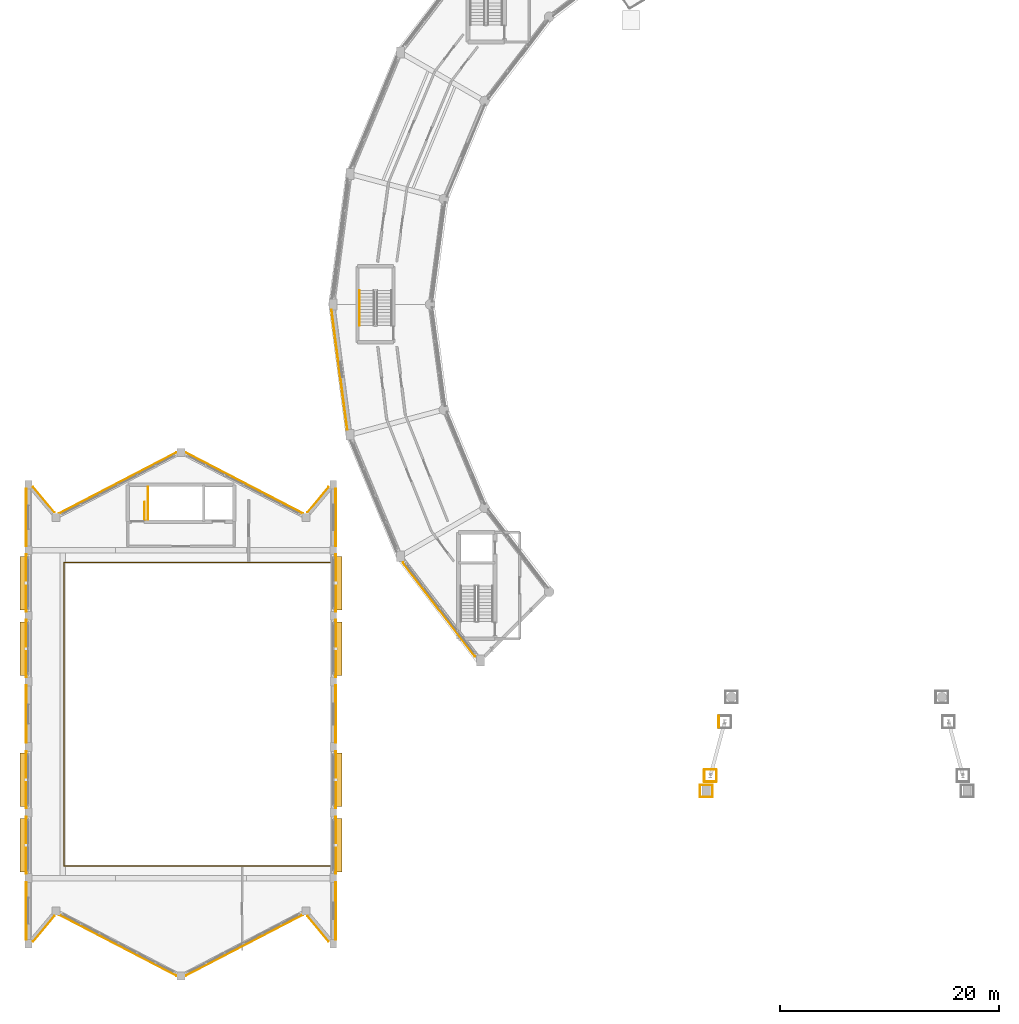
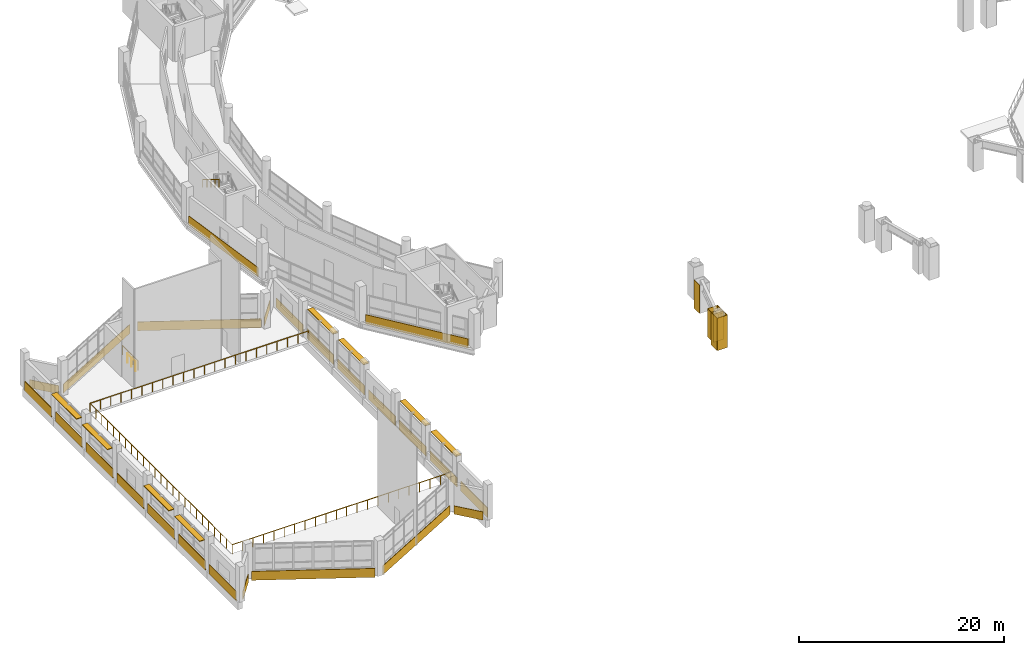
# One storey, part 120 of 128: 33 coverings, 8 shading devices, 4 railings.
"""IFC4 building model written with IfcOpenShell, lengths in metres."""

import ifcopenshell
import ifcopenshell.guid

model = None  # the IFC model being written
_history = None  # IfcOwnerHistory: only IFC2X3 demands one
_inside = {}  # id of a spatial element -> (the spatial element, [elements in it])
_under = {}  # id of a project, library or spatial element -> (it, [spatial elements below it])
_declared = {}  # id of a project -> (the project, [libraries it declares])
_typed = {}  # id of a type object -> (the type object, [elements of that type])
_made_of = {}  # id of a material, layer set ... -> (it, [elements and type objects made of it])


def new_model(schema):
    """Start an empty IFC model of exactly this schema.

    Asked for "IFC4X3", IfcOpenShell would pick the latest addendum, in which some entities
    have other attributes; the version numbers below select the first issue.
    IFC2X3 requires an IfcOwnerHistory on every rooted entity: one is made here for all.
    """
    global model, _history
    if schema == "IFC4X3":
        model = ifcopenshell.file(schema_version=(4, 3, 0, 0))
    else:
        model = ifcopenshell.file(schema=schema)
    _inside.clear()
    _under.clear()
    _declared.clear()
    _typed.clear()
    _made_of.clear()
    _history = None
    if model.schema == "IFC2X3":
        org = make("IfcOrganization", Name="unknown")
        user = make(
            "IfcPersonAndOrganization",
            ThePerson=make("IfcPerson", FamilyName="unknown"),
            TheOrganization=org,
        )
        app = make(
            "IfcApplication",
            ApplicationDeveloper=org,
            Version="unknown",
            ApplicationFullName="unknown",
            ApplicationIdentifier="unknown",
        )
        _history = make(
            "IfcOwnerHistory",
            OwningUser=user,
            OwningApplication=app,
            ChangeAction="ADDED",
            CreationDate=0,
        )
    return model


def make(cls, **values):
    """One entity of the class cls with the attributes given. An attribute that is None is left unset."""
    return model.create_entity(
        cls, **{name: value for name, value in values.items() if value is not None}
    )


def rooted(cls, **values):
    """An entity with a GlobalId (a new one), such as an element, a storey or a relation."""
    return make(cls, GlobalId=ifcopenshell.guid.new(), OwnerHistory=_history, **values)


def si_unit(unit_type, name, prefix=None):
    """IfcSIUnit, for example si_unit("LENGTHUNIT", "METRE", prefix="MILLI")."""
    return make("IfcSIUnit", UnitType=unit_type, Prefix=prefix, Name=name)


def assignment(units):
    """IfcUnitAssignment: the units of a project."""
    return None if units is None else make("IfcUnitAssignment", Units=units)


def point(xyz):
    """IfcCartesianPoint."""
    return None if xyz is None else make("IfcCartesianPoint", Coordinates=xyz)


def direction(xyz):
    """IfcDirection."""
    return None if xyz is None else make("IfcDirection", DirectionRatios=xyz)


def frame(location, z_axis=None, x_axis=None):
    """IfcAxis2Placement3D, a coordinate frame: its origin and axes. An axis left out is left unset."""
    return make(
        "IfcAxis2Placement3D",
        Location=point(location),
        Axis=direction(z_axis),
        RefDirection=direction(x_axis),
    )


def frame_2d(location, x_axis=None):
    """IfcAxis2Placement2D, a coordinate frame in the plane: its origin and x axis."""
    return make(
        "IfcAxis2Placement2D", Location=point(location), RefDirection=direction(x_axis)
    )


def origin():
    """The frame at (0, 0, 0) with its axes left unset."""
    return frame((0.0, 0.0, 0.0))


def origin_2d():
    """The frame at (0, 0) in the plane with its x axis left unset."""
    return frame_2d((0.0, 0.0))


def place(relative_to, where):
    """IfcLocalPlacement: puts the frame where relative to a parent placement (None: the world)."""
    return make(
        "IfcLocalPlacement", PlacementRelTo=relative_to, RelativePlacement=where
    )


def context(
    kind, dimensions, precision=None, world=None, true_north=None, identifier=None
):
    """IfcGeometricRepresentationContext, for example the 3D "Model" context."""
    return make(
        "IfcGeometricRepresentationContext",
        ContextIdentifier=identifier,
        ContextType=kind,
        CoordinateSpaceDimension=dimensions,
        Precision=precision,
        WorldCoordinateSystem=world,
        TrueNorth=true_north,
    )


def subcontext(parent, identifier, kind, view, scale=None):
    """IfcGeometricRepresentationSubContext, for example "Body" below "Model"."""
    return make(
        "IfcGeometricRepresentationSubContext",
        ContextIdentifier=identifier,
        ContextType=kind,
        ParentContext=parent,
        TargetScale=scale,
        TargetView=view,
    )


def project(units=None, contexts=None):
    """IfcProject with its units and contexts."""
    return rooted(
        "IfcProject",
        Name="project",
        RepresentationContexts=contexts,
        UnitsInContext=assignment(units),
    )


def spatial(cls, under=None, at=None, **own):
    """A site, building, storey or space (cls), placed at a placement, below another one or the project."""
    s = rooted(cls, ObjectPlacement=at, **own)
    if under is not None:
        _under.setdefault(under.id(), (under, []))[1].append(s)
    return s


def profile(cls, at=None, kind="AREA", **sizes):
    """A parametric profile (cls). Its sizes go by their IFC names, for example OverallWidth=200.0."""
    return make(cls, ProfileType=kind, Position=at, **sizes)


def rectangle(**sizes):
    """IfcRectangleProfileDef."""
    return profile("IfcRectangleProfileDef", **sizes)


def circle(**sizes):
    """IfcCircleProfileDef."""
    return profile("IfcCircleProfileDef", **sizes)


def extrude(swept, where, along, depth):
    """IfcExtrudedAreaSolid: the profile swept, set in the frame where, extruded along a direction by depth."""
    return make(
        "IfcExtrudedAreaSolid",
        SweptArea=swept,
        Position=where,
        ExtrudedDirection=direction(along),
        Depth=depth,
    )


def shape(context_of_items, identifier, shape_type, items):
    """IfcShapeRepresentation: the items that make up one representation, for example the "Body"."""
    return make(
        "IfcShapeRepresentation",
        ContextOfItems=context_of_items,
        RepresentationIdentifier=identifier,
        RepresentationType=shape_type,
        Items=items,
    )


def material(Name=None, Category=None):
    """IfcMaterial."""
    return make("IfcMaterial", Name=Name, Category=Category)


def layer(
    of_material, thickness, ventilated=None, Name=None, Category=None, Priority=None
):
    """IfcMaterialLayer: one layer of a wall or slab, of a material (None: an air gap)."""
    return make(
        "IfcMaterialLayer",
        Material=of_material,
        LayerThickness=thickness,
        IsVentilated=ventilated,
        Name=Name,
        Category=Category,
        Priority=Priority,
    )


def layer_set(layers, Name=None):
    """IfcMaterialLayerSet."""
    return make("IfcMaterialLayerSet", MaterialLayers=layers, LayerSetName=Name)


def made_of(thing, what):
    """Note that an element or type object is made of a material, layer set ...; save() writes the relation."""
    if what is not None:
        _made_of.setdefault(what.id(), (what, []))[1].append(thing)
    return thing


def type_object(cls, material=None, **own):
    """A type object (cls), such as IfcWallType, which elements share."""
    return made_of(rooted(cls, **own), material)


def element(
    cls,
    number,
    at=None,
    inside=None,
    cuts=None,
    type_object=None,
    material=None,
    context=None,
    identifier="Body",
    shape_type=None,
    held_by="IfcProductDefinitionShape",
    body=None,
    shapes=None,
    **own,
):
    """One element of the class cls, such as IfcWall. Its Tag is "e" and its number.

    at: its placement. inside: the storey or other place that contains it. cuts: it is an
    opening in that element (IfcRelVoidsElement). A single representation is given by context,
    identifier, shape_type and body (its items); several are given by shapes. held_by: the class
    of the entity that holds the representations. save() writes the other relations.
    """
    e = rooted(cls, Tag="e%d" % number, ObjectPlacement=at, **own)
    if body is not None:
        shapes = [shape(context, identifier, shape_type, body)]
    if shapes is not None:
        e.Representation = make(held_by, Representations=shapes)
    if inside is not None:
        _inside.setdefault(inside.id(), (inside, []))[1].append(e)
    if cuts is not None:
        rooted(
            "IfcRelVoidsElement", RelatingBuildingElement=cuts, RelatedOpeningElement=e
        )
    if type_object is not None:
        _typed.setdefault(type_object.id(), (type_object, []))[1].append(e)
    return made_of(e, material)


def aggregate(whole, parts):
    """IfcRelAggregates: a whole, such as a stair, and the parts it consists of."""
    return rooted("IfcRelAggregates", RelatingObject=whole, RelatedObjects=parts)


def save(model, path):
    """Write the relations noted so far, then the file.

    IfcRelAggregates (storeys below a building ...), IfcRelContainedInSpatialStructure (elements
    in a storey), IfcRelDefinesByType, IfcRelAssociatesMaterial and IfcRelDeclares: one each for
    every whole, place, type object, material and project.
    """
    for whole, parts in _under.values():
        aggregate(whole, parts)
    for where, things in _inside.values():
        rooted(
            "IfcRelContainedInSpatialStructure",
            RelatedElements=things,
            RelatingStructure=where,
        )
    for kind, things in _typed.values():
        rooted("IfcRelDefinesByType", RelatedObjects=things, RelatingType=kind)
    for what, things in _made_of.values():
        rooted("IfcRelAssociatesMaterial", RelatedObjects=things, RelatingMaterial=what)
    for by, libraries in _declared.values():
        rooted("IfcRelDeclares", RelatingContext=by, RelatedDefinitions=libraries)
    model.write(path)


model = new_model("IFC4")

# Units and contexts
model_context = context("Model", 3, precision=1e-05, world=origin(), true_north=direction((0.0, 1.0)))
body_context = subcontext(model_context, "Body", "Model", "MODEL_VIEW")
ifc_project = project(units=[si_unit("LENGTHUNIT", "METRE"), si_unit("AREAUNIT", "SQUARE_METRE"), si_unit("VOLUMEUNIT", "CUBIC_METRE"), si_unit("PLANEANGLEUNIT", "RADIAN"), si_unit("MASSUNIT", "GRAM", prefix="KILO")], contexts=[model_context])

# Site, building, storey
site_placement = place(None, origin())
site = spatial("IfcSite", under=ifc_project, at=site_placement, CompositionType="ELEMENT")
building_placement = place(site_placement, origin())
building = spatial("IfcBuilding", under=site, at=building_placement, Name="Vespera Passage Community Centre", CompositionType="ELEMENT")
storey_placement = place(building_placement, frame((0.0, 0.0, 4.5)))
storey = spatial("IfcBuildingStorey", under=building, at=storey_placement, Name="L01", CompositionType="ELEMENT", Elevation=4.5)

# Coverings
ifc_material_1 = material(Name="Precast concrete f'c 40 MPa", Category="concrete")
ifc_layer = layer(ifc_material_1, 0.06005859375)
ifc_layer_set = layer_set([ifc_layer], Name="Precast concrete f'c 40 MPa")
covering_type = type_object("IfcCoveringType", Name="COV-CLAD-60E", PredefinedType="CLADDING", material=ifc_layer_set)
covering_1_placement = place(storey_placement, frame((65.50830078125, 20.410888671875, 0.0), z_axis=(0.0, 0.0, 1.0), x_axis=(1.0, 0.0, 0.0)))
element("IfcCovering", 1, at=covering_1_placement, inside=storey, type_object=covering_type, Name="Pylon 17.0 O L01 White Architectural Casing 1", PredefinedType="CLADDING", context=body_context, shape_type="SweptSolid", body=[
    extrude(rectangle(XDim=1.1201171875, YDim=0.06005859375, at=frame_2d((0.56005859375, 0.0))), origin(), (0.0, 0.0, 1.0), 3.860107421875),
])
covering_2_placement = place(storey_placement, frame((66.62841796875, 20.410888671875, 0.0), z_axis=(0.0, 0.0, 1.0), x_axis=(0.0, 1.0, 0.0)))
element("IfcCovering", 2, at=covering_2_placement, inside=storey, type_object=covering_type, Name="Pylon 17.0 O L01 White Architectural Casing 2", PredefinedType="CLADDING", context=body_context, shape_type="SweptSolid", body=[
    extrude(rectangle(XDim=1.119873046875, YDim=0.06005859375, at=frame_2d((0.56005859375, 0.0))), origin(), (0.0, 0.0, 1.0), 3.860107421875),
])
covering_3_placement = place(storey_placement, frame((66.62841796875, 21.53076171875, 0.0), z_axis=(0.0, 0.0, 1.0), x_axis=(-1.0, 0.0, 0.0)))
element("IfcCovering", 3, at=covering_3_placement, inside=storey, type_object=covering_type, Name="Pylon 17.0 O L01 White Architectural Casing 3", PredefinedType="CLADDING", context=body_context, shape_type="SweptSolid", body=[
    extrude(rectangle(XDim=1.1201171875, YDim=0.06005859375, at=frame_2d((0.56005859375, 0.0))), origin(), (0.0, 0.0, 1.0), 3.860107421875),
])
covering_4_placement = place(storey_placement, frame((65.50830078125, 21.53076171875, 0.0), z_axis=(0.0, 0.0, 1.0), x_axis=(0.0, -1.0, 0.0)))
element("IfcCovering", 4, at=covering_4_placement, inside=storey, type_object=covering_type, Name="Pylon 17.0 O L01 White Architectural Casing 4", PredefinedType="CLADDING", context=body_context, shape_type="SweptSolid", body=[
    extrude(rectangle(XDim=1.119873046875, YDim=0.06005859375, at=frame_2d((0.56005859375, 0.0))), origin(), (0.0, 0.0, 1.0), 3.860107421875),
])
covering_5_placement = place(storey_placement, frame((65.8837890625, 21.811279296875, 0.0), z_axis=(0.0, 0.0, 1.0), x_axis=(1.0, 0.0, 0.0)))
element("IfcCovering", 5, at=covering_5_placement, inside=storey, type_object=covering_type, Name="Pylon 17.0 TO L01 White Architectural Casing 1", PredefinedType="CLADDING", context=body_context, shape_type="SweptSolid", body=[
    extrude(rectangle(XDim=1.119873046875, YDim=0.06005859375, at=frame_2d((0.56005859375, 0.0))), origin(), (0.0, 0.0, 1.0), 3.35009765625),
])
covering_6_placement = place(storey_placement, frame((67.003662109375, 21.811279296875, 0.0), z_axis=(0.0, 0.0, 1.0), x_axis=(0.0, 1.0, 0.0)))
element("IfcCovering", 6, at=covering_6_placement, inside=storey, type_object=covering_type, Name="Pylon 17.0 TO L01 White Architectural Casing 2", PredefinedType="CLADDING", context=body_context, shape_type="SweptSolid", body=[
    extrude(rectangle(XDim=1.1201171875, YDim=0.06005859375, at=frame_2d((0.56005859375, 0.0))), origin(), (0.0, 0.0, 1.0), 3.35009765625),
])
covering_7_placement = place(storey_placement, frame((67.003662109375, 22.931396484375, 0.0), z_axis=(0.0, 0.0, 1.0), x_axis=(-1.0, 0.0, 0.0)))
element("IfcCovering", 7, at=covering_7_placement, inside=storey, type_object=covering_type, Name="Pylon 17.0 TO L01 White Architectural Casing 3", PredefinedType="CLADDING", context=body_context, shape_type="SweptSolid", body=[
    extrude(rectangle(XDim=1.119873046875, YDim=0.06005859375, at=frame_2d((0.56005859375, 0.0))), origin(), (0.0, 0.0, 1.0), 3.35009765625),
])
for number, where, z_axis, x_axis, name in (
    (8, (65.8837890625, 22.931396484375, 0.0), (0.0, 0.0, 1.0), (0.0, -1.0, 0.0), "Pylon 17.0 TO L01 White Architectural Casing 4"),
    (9, (67.20361328125, 27.857666015625, 0.0), (0.0, 0.0, 1.0), (0.0, -1.0, 0.0), "Pylon 17.0 TI L01 White Architectural Casing 4"),
):
    element("IfcCovering", number, at=place(storey_placement, frame(where, z_axis=z_axis, x_axis=x_axis)), inside=storey, type_object=covering_type, Name=name, PredefinedType="CLADDING", context=body_context, shape_type="SweptSolid", body=[
        extrude(rectangle(XDim=1.1201171875, YDim=0.06005859375, at=frame_2d((0.56005859375, 0.0))), origin(), (0.0, 0.0, 1.0), 3.35009765625),
    ])
covering_8_placement = place(storey_placement, frame((33.2197265625, 54.018798828125, -0.280029296875), z_axis=(0.0, 0.0, 1.0), x_axis=(-0.130513242145, 0.991446566197, 0.0)))
element("IfcCovering", 10, at=covering_8_placement, inside=storey, type_object=covering_type, Name="V4 L01 Outer White Sill Band O12", PredefinedType="CLADDING", context=body_context, shape_type="SweptSolid", body=[
    extrude(rectangle(XDim=11.075927734375, YDim=0.06005859375, at=frame_2d((5.5380859375, 0.0))), origin(), (0.0, 0.0, 1.0), 1.10009765625),
])
covering_9_placement = place(storey_placement, frame((44.90771484375, 33.267822265625, -0.280029296875), z_axis=(0.0, 0.0, 1.0), x_axis=(-0.608767750285, 0.793348489765, 0.0)))
element("IfcCovering", 11, at=covering_9_placement, inside=storey, type_object=covering_type, Name="V4 L01 Outer White Spandrel Band O14", PredefinedType="CLADDING", context=body_context, shape_type="SweptSolid", body=[
    extrude(rectangle(XDim=10.8525390625, YDim=0.06005859375, at=frame_2d((5.42626953125, 0.0))), origin(), (0.0, 0.0, 1.0), 1.10009765625),
])
for number, where, z_axis, x_axis, name in (
    (12, (3.840087890625, 7.375, -0.280029296875), (0.0, 0.0, 1.0), (0.0, 1.0, 0.0), "V1 L01 W1 White Sill Band"),
    (13, (32.159912109375, 12.625, -0.280029296875), (0.0, 0.0, 1.0), (0.0, -1.0, 0.0), "V1 L01 E1 White Sill Band"),
    (14, (3.840087890625, 13.375, -0.280029296875), (0.0, 0.0, 1.0), (0.0, 1.0, 0.0), "V1 L01 W2 White Spandrel Band"),
    (15, (32.159912109375, 18.625, -0.280029296875), (0.0, 0.0, 1.0), (0.0, -1.0, 0.0), "V1 L01 E2 White Spandrel Band"),
    (16, (3.840087890625, 19.375, -0.280029296875), (0.0, 0.0, 1.0), (0.0, 1.0, 0.0), "V1 L01 W3 White Spandrel Band"),
    (17, (32.159912109375, 24.625, -0.280029296875), (0.0, 0.0, 1.0), (0.0, -1.0, 0.0), "V1 L01 E3 White Spandrel Band"),
    (18, (3.840087890625, 25.375, -0.280029296875), (0.0, 0.0, 1.0), (0.0, 1.0, 0.0), "V1 L01 W4 White Sill Band"),
    (19, (32.159912109375, 30.625, -0.280029296875), (0.0, 0.0, 1.0), (0.0, -1.0, 0.0), "V1 L01 E4 White Sill Band"),
    (20, (3.840087890625, 31.375, -0.280029296875), (0.0, 0.0, 1.0), (0.0, 1.0, 0.0), "V1 L01 W5 White Spandrel Band"),
    (21, (32.159912109375, 36.625, -0.280029296875), (0.0, 0.0, 1.0), (0.0, -1.0, 0.0), "V1 L01 E5 White Spandrel Band"),
    (22, (3.840087890625, 37.375, -0.280029296875), (0.0, 0.0, 1.0), (0.0, 1.0, 0.0), "V1 L01 W6 White Spandrel Band"),
    (23, (32.159912109375, 42.625, -0.280029296875), (0.0, 0.0, 1.0), (0.0, -1.0, 0.0), "V1 L01 E6 White Spandrel Band"),
    (24, (3.840087890625, 43.375, -0.280029296875), (0.0, 0.0, 1.0), (0.0, 1.0, 0.0), "V1 L01 W7 White Sill Band"),
    (25, (32.159912109375, 48.625, -0.280029296875), (0.0, 0.0, 1.0), (0.0, -1.0, 0.0), "V1 L01 E7 White Sill Band"),
):
    element("IfcCovering", number, at=place(storey_placement, frame(where, z_axis=z_axis, x_axis=x_axis)), inside=storey, type_object=covering_type, Name=name, PredefinedType="CLADDING", context=body_context, shape_type="SweptSolid", body=[
        extrude(rectangle(XDim=5.25, YDim=0.06005859375, at=frame_2d((2.625, 0.0))), origin(), (0.0, 0.0, 1.0), 1.130126953125),
    ])
covering_10_placement = place(storey_placement, frame((4.479248046875, 48.784912109375, -0.260009765625), z_axis=(0.0, 0.0, 1.0), x_axis=(0.643756356561, -0.765230523037, 0.0)))
element("IfcCovering", 26, at=covering_10_placement, inside=storey, type_object=covering_type, Name="V1 L01 N1 Apse Sill Band", PredefinedType="CLADDING", context=body_context, shape_type="SweptSolid", body=[
    extrude(rectangle(XDim=3.0126953125, YDim=0.06005859375, at=frame_2d((1.50634765625, 0.0))), origin(), (0.0, 0.0, 1.0), 0.97998046875),
])
for number, where, z_axis, x_axis, name in (
    (27, (6.837890625, 46.353515625, -0.260009765625), (0.0, 0.0, 1.0), (0.887012674584, 0.46174507591, 0.0), "V1 L01 N2 Apse White Band"),
    (28, (18.4404296875, 51.934814453125, -0.260009765625), (0.0, 0.0, 1.0), (0.887012674584, -0.46174507591, 0.0), "V1 L01 N3 Apse White Band"),
):
    element("IfcCovering", number, at=place(storey_placement, frame(where, z_axis=z_axis, x_axis=x_axis)), inside=storey, type_object=covering_type, Name=name, PredefinedType="CLADDING", context=body_context, shape_type="SweptSolid", body=[
        extrude(rectangle(XDim=12.08740234375, YDim=0.06005859375, at=frame_2d((6.043701171875, 0.0))), origin(), (0.0, 0.0, 1.0), 1.06005859375),
    ])
for number, where, z_axis, x_axis, name in (
    (29, (29.581298828125, 46.4794921875, -0.260009765625), (0.0, 0.0, 1.0), (0.643756356561, 0.765230523037, 0.0), "V1 L01 N4 Apse Sill Band"),
    (30, (31.520751953125, 7.215087890625, -0.260009765625), (0.0, 0.0, 1.0), (-0.643756356561, 0.765230523037, 0.0), "V1 L01 S1 Apse Sill Band"),
):
    element("IfcCovering", number, at=place(storey_placement, frame(where, z_axis=z_axis, x_axis=x_axis)), inside=storey, type_object=covering_type, Name=name, PredefinedType="CLADDING", context=body_context, shape_type="SweptSolid", body=[
        extrude(rectangle(XDim=3.0126953125, YDim=0.06005859375, at=frame_2d((1.50634765625, 0.0))), origin(), (0.0, 0.0, 1.0), 0.97998046875),
    ])
for number, where, z_axis, x_axis, name in (
    (31, (29.162109375, 9.646484375, -0.260009765625), (0.0, 0.0, 1.0), (-0.887012674584, -0.46174507591, 0.0), "V1 L01 S2 Apse White Band"),
    (32, (17.5595703125, 4.065185546875, -0.260009765625), (0.0, 0.0, 1.0), (-0.887012674584, 0.46174507591, 0.0), "V1 L01 S3 Apse White Band"),
):
    element("IfcCovering", number, at=place(storey_placement, frame(where, z_axis=z_axis, x_axis=x_axis)), inside=storey, type_object=covering_type, Name=name, PredefinedType="CLADDING", context=body_context, shape_type="SweptSolid", body=[
        extrude(rectangle(XDim=12.08740234375, YDim=0.06005859375, at=frame_2d((6.043701171875, 0.0))), origin(), (0.0, 0.0, 1.0), 1.06005859375),
    ])
covering_11_placement = place(storey_placement, frame((6.418701171875, 9.5205078125, -0.260009765625), z_axis=(0.0, 0.0, 1.0), x_axis=(-0.643756356561, -0.765230523037, 0.0)))
element("IfcCovering", 33, at=covering_11_placement, inside=storey, type_object=covering_type, Name="V1 L01 S4 Apse Sill Band", PredefinedType="CLADDING", context=body_context, shape_type="SweptSolid", body=[
    extrude(rectangle(XDim=3.0126953125, YDim=0.06005859375, at=frame_2d((1.50634765625, 0.0))), origin(), (0.0, 0.0, 1.0), 0.97998046875),
])

# Railings
ifc_material_2 = material(Name="Steel ASTM A500 Grade C", Category="steel")
railing_type_1 = type_object("IfcRailingType", Name="RL-BAL-1100I", PredefinedType="BALUSTRADE", material=ifc_material_2)
railing_1_placement = place(storey_placement, frame((31.8798828125, 14.1201171875, 0.0)))
element("IfcRailing", 34, at=railing_1_placement, inside=storey, type_object=railing_type_1, Name="Main Hall L01 U-Gallery Balustrade", PredefinedType="BALUSTRADE", context=body_context, shape_type="SweptSolid", body=[
    extrude(circle(Radius=0.02392578125, at=origin_2d()), frame((0.0, 0.0, 1.09619140625), z_axis=(-1.0, 0.0, 0.0), x_axis=(0.0, -1.0, 0.0)), (0.0, 0.0, 1.0), 24.599853515625),
    extrude(circle(Radius=0.02392578125, at=origin_2d()), frame((-24.599853515625, 0.0, 1.09619140625), z_axis=(0.0, 1.0, 0.0), x_axis=(-1.0, 0.0, 0.0)), (0.0, 0.0, 1.0), 27.759765625),
    extrude(circle(Radius=0.02392578125, at=origin_2d()), frame((-24.599853515625, 27.759765625, 1.09619140625), z_axis=(1.0, 0.0, 0.0), x_axis=(0.0, 1.0, 0.0)), (0.0, 0.0, 1.0), 24.599853515625),
    extrude(circle(Radius=0.02099609375, at=origin_2d()), origin(), (0.0, 0.0, 1.0), 1.072021484375),
    extrude(circle(Radius=0.02099609375, at=origin_2d()), frame((-1.17138671875, 0.0, 0.0)), (0.0, 0.0, 1.0), 1.072021484375),
    extrude(circle(Radius=0.02099609375, at=origin_2d()), frame((-2.3427734375, 0.0, 0.0)), (0.0, 0.0, 1.0), 1.072021484375),
    extrude(circle(Radius=0.02099609375, at=origin_2d()), frame((-3.51416015625, 0.0, 0.0)), (0.0, 0.0, 1.0), 1.072021484375),
    extrude(circle(Radius=0.02099609375, at=origin_2d()), frame((-4.685791015625, 0.0, 0.0)), (0.0, 0.0, 1.0), 1.072021484375),
    extrude(circle(Radius=0.02099609375, at=origin_2d()), frame((-5.857177734375, 0.0, 0.0)), (0.0, 0.0, 1.0), 1.072021484375),
    extrude(circle(Radius=0.02099609375, at=origin_2d()), frame((-7.028564453125, 0.0, 0.0)), (0.0, 0.0, 1.0), 1.072021484375),
    extrude(circle(Radius=0.02099609375, at=origin_2d()), frame((-8.199951171875, 0.0, 0.0)), (0.0, 0.0, 1.0), 1.072021484375),
    extrude(circle(Radius=0.02099609375, at=origin_2d()), frame((-9.371337890625, 0.0, 0.0)), (0.0, 0.0, 1.0), 1.072021484375),
    extrude(circle(Radius=0.02099609375, at=origin_2d()), frame((-10.542724609375, 0.0, 0.0)), (0.0, 0.0, 1.0), 1.072021484375),
    extrude(circle(Radius=0.02099609375, at=origin_2d()), frame((-11.714111328125, 0.0, 0.0)), (0.0, 0.0, 1.0), 1.072021484375),
    extrude(circle(Radius=0.02099609375, at=origin_2d()), frame((-12.8857421875, 0.0, 0.0)), (0.0, 0.0, 1.0), 1.072021484375),
    extrude(circle(Radius=0.02099609375, at=origin_2d()), frame((-14.05712890625, 0.0, 0.0)), (0.0, 0.0, 1.0), 1.072021484375),
    extrude(circle(Radius=0.02099609375, at=origin_2d()), frame((-15.228515625, 0.0, 0.0)), (0.0, 0.0, 1.0), 1.072021484375),
    extrude(circle(Radius=0.02099609375, at=origin_2d()), frame((-16.39990234375, 0.0, 0.0)), (0.0, 0.0, 1.0), 1.072021484375),
    extrude(circle(Radius=0.02099609375, at=origin_2d()), frame((-17.5712890625, 0.0, 0.0)), (0.0, 0.0, 1.0), 1.072021484375),
    extrude(circle(Radius=0.02099609375, at=origin_2d()), frame((-18.74267578125, 0.0, 0.0)), (0.0, 0.0, 1.0), 1.072021484375),
    extrude(circle(Radius=0.02099609375, at=origin_2d()), frame((-19.9140625, 0.0, 0.0)), (0.0, 0.0, 1.0), 1.072021484375),
    extrude(circle(Radius=0.02099609375, at=origin_2d()), frame((-21.085693359375, 0.0, 0.0)), (0.0, 0.0, 1.0), 1.072021484375),
    extrude(circle(Radius=0.02099609375, at=origin_2d()), frame((-22.257080078125, 0.0, 0.0)), (0.0, 0.0, 1.0), 1.072021484375),
    extrude(circle(Radius=0.02099609375, at=origin_2d()), frame((-23.428466796875, 0.0, 0.0)), (0.0, 0.0, 1.0), 1.072021484375),
    extrude(circle(Radius=0.02099609375, at=origin_2d()), frame((-24.599853515625, 0.0, 0.0)), (0.0, 0.0, 1.0), 1.072021484375),
    extrude(circle(Radius=0.02099609375, at=origin_2d()), frame((-24.599853515625, 1.15673828125, 0.0)), (0.0, 0.0, 1.0), 1.072021484375),
    extrude(circle(Radius=0.02099609375, at=origin_2d()), frame((-24.599853515625, 2.313232421875, 0.0)), (0.0, 0.0, 1.0), 1.072021484375),
    extrude(circle(Radius=0.02099609375, at=origin_2d()), frame((-24.599853515625, 3.469970703125, 0.0)), (0.0, 0.0, 1.0), 1.072021484375),
    extrude(circle(Radius=0.02099609375, at=origin_2d()), frame((-24.599853515625, 4.626708984375, 0.0)), (0.0, 0.0, 1.0), 1.072021484375),
    extrude(circle(Radius=0.02099609375, at=origin_2d()), frame((-24.599853515625, 5.783203125, 0.0)), (0.0, 0.0, 1.0), 1.072021484375),
    extrude(circle(Radius=0.02099609375, at=origin_2d()), frame((-24.599853515625, 6.93994140625, 0.0)), (0.0, 0.0, 1.0), 1.072021484375),
    extrude(circle(Radius=0.02099609375, at=origin_2d()), frame((-24.599853515625, 8.0966796875, 0.0)), (0.0, 0.0, 1.0), 1.072021484375),
    extrude(circle(Radius=0.02099609375, at=origin_2d()), frame((-24.599853515625, 9.253173828125, 0.0)), (0.0, 0.0, 1.0), 1.072021484375),
    extrude(circle(Radius=0.02099609375, at=origin_2d()), frame((-24.599853515625, 10.409912109375, 0.0)), (0.0, 0.0, 1.0), 1.072021484375),
    extrude(circle(Radius=0.02099609375, at=origin_2d()), frame((-24.599853515625, 11.566650390625, 0.0)), (0.0, 0.0, 1.0), 1.072021484375),
    extrude(circle(Radius=0.02099609375, at=origin_2d()), frame((-24.599853515625, 12.72314453125, 0.0)), (0.0, 0.0, 1.0), 1.072021484375),
    extrude(circle(Radius=0.02099609375, at=origin_2d()), frame((-24.599853515625, 13.8798828125, 0.0)), (0.0, 0.0, 1.0), 1.072021484375),
    extrude(circle(Radius=0.02099609375, at=origin_2d()), frame((-24.599853515625, 15.03662109375, 0.0)), (0.0, 0.0, 1.0), 1.072021484375),
    extrude(circle(Radius=0.02099609375, at=origin_2d()), frame((-24.599853515625, 16.193115234375, 0.0)), (0.0, 0.0, 1.0), 1.072021484375),
    extrude(circle(Radius=0.02099609375, at=origin_2d()), frame((-24.599853515625, 17.349853515625, 0.0)), (0.0, 0.0, 1.0), 1.072021484375),
    extrude(circle(Radius=0.02099609375, at=origin_2d()), frame((-24.599853515625, 18.506591796875, 0.0)), (0.0, 0.0, 1.0), 1.072021484375),
    extrude(circle(Radius=0.02099609375, at=origin_2d()), frame((-24.599853515625, 19.6630859375, 0.0)), (0.0, 0.0, 1.0), 1.072021484375),
    extrude(circle(Radius=0.02099609375, at=origin_2d()), frame((-24.599853515625, 20.81982421875, 0.0)), (0.0, 0.0, 1.0), 1.072021484375),
    extrude(circle(Radius=0.02099609375, at=origin_2d()), frame((-24.599853515625, 21.9765625, 0.0)), (0.0, 0.0, 1.0), 1.072021484375),
    extrude(circle(Radius=0.02099609375, at=origin_2d()), frame((-24.599853515625, 23.133056640625, 0.0)), (0.0, 0.0, 1.0), 1.072021484375),
    extrude(circle(Radius=0.02099609375, at=origin_2d()), frame((-24.599853515625, 24.289794921875, 0.0)), (0.0, 0.0, 1.0), 1.072021484375),
    extrude(circle(Radius=0.02099609375, at=origin_2d()), frame((-24.599853515625, 25.446533203125, 0.0)), (0.0, 0.0, 1.0), 1.072021484375),
    extrude(circle(Radius=0.02099609375, at=origin_2d()), frame((-24.599853515625, 26.60302734375, 0.0)), (0.0, 0.0, 1.0), 1.072021484375),
    extrude(circle(Radius=0.02099609375, at=origin_2d()), frame((-24.599853515625, 27.759765625, 0.0)), (0.0, 0.0, 1.0), 1.072021484375),
    extrude(circle(Radius=0.02099609375, at=origin_2d()), frame((-23.428466796875, 27.759765625, 0.0)), (0.0, 0.0, 1.0), 1.072021484375),
    extrude(circle(Radius=0.02099609375, at=origin_2d()), frame((-22.257080078125, 27.759765625, 0.0)), (0.0, 0.0, 1.0), 1.072021484375),
    extrude(circle(Radius=0.02099609375, at=origin_2d()), frame((-21.085693359375, 27.759765625, 0.0)), (0.0, 0.0, 1.0), 1.072021484375),
    extrude(circle(Radius=0.02099609375, at=origin_2d()), frame((-19.9140625, 27.759765625, 0.0)), (0.0, 0.0, 1.0), 1.072021484375),
    extrude(circle(Radius=0.02099609375, at=origin_2d()), frame((-18.74267578125, 27.759765625, 0.0)), (0.0, 0.0, 1.0), 1.072021484375),
    extrude(circle(Radius=0.02099609375, at=origin_2d()), frame((-17.5712890625, 27.759765625, 0.0)), (0.0, 0.0, 1.0), 1.072021484375),
    extrude(circle(Radius=0.02099609375, at=origin_2d()), frame((-16.39990234375, 27.759765625, 0.0)), (0.0, 0.0, 1.0), 1.072021484375),
    extrude(circle(Radius=0.02099609375, at=origin_2d()), frame((-15.228515625, 27.759765625, 0.0)), (0.0, 0.0, 1.0), 1.072021484375),
    extrude(circle(Radius=0.02099609375, at=origin_2d()), frame((-14.05712890625, 27.759765625, 0.0)), (0.0, 0.0, 1.0), 1.072021484375),
    extrude(circle(Radius=0.02099609375, at=origin_2d()), frame((-12.8857421875, 27.759765625, 0.0)), (0.0, 0.0, 1.0), 1.072021484375),
    extrude(circle(Radius=0.02099609375, at=origin_2d()), frame((-11.714111328125, 27.759765625, 0.0)), (0.0, 0.0, 1.0), 1.072021484375),
    extrude(circle(Radius=0.02099609375, at=origin_2d()), frame((-10.542724609375, 27.759765625, 0.0)), (0.0, 0.0, 1.0), 1.072021484375),
    extrude(circle(Radius=0.02099609375, at=origin_2d()), frame((-9.371337890625, 27.759765625, 0.0)), (0.0, 0.0, 1.0), 1.072021484375),
    extrude(circle(Radius=0.02099609375, at=origin_2d()), frame((-8.199951171875, 27.759765625, 0.0)), (0.0, 0.0, 1.0), 1.072021484375),
    extrude(circle(Radius=0.02099609375, at=origin_2d()), frame((-7.028564453125, 27.759765625, 0.0)), (0.0, 0.0, 1.0), 1.072021484375),
    extrude(circle(Radius=0.02099609375, at=origin_2d()), frame((-5.857177734375, 27.759765625, 0.0)), (0.0, 0.0, 1.0), 1.072021484375),
    extrude(circle(Radius=0.02099609375, at=origin_2d()), frame((-4.685791015625, 27.759765625, 0.0)), (0.0, 0.0, 1.0), 1.072021484375),
    extrude(circle(Radius=0.02099609375, at=origin_2d()), frame((-3.51416015625, 27.759765625, 0.0)), (0.0, 0.0, 1.0), 1.072021484375),
    extrude(circle(Radius=0.02099609375, at=origin_2d()), frame((-2.3427734375, 27.759765625, 0.0)), (0.0, 0.0, 1.0), 1.072021484375),
    extrude(circle(Radius=0.02099609375, at=origin_2d()), frame((-1.17138671875, 27.759765625, 0.0)), (0.0, 0.0, 1.0), 1.072021484375),
    extrude(circle(Radius=0.02099609375, at=origin_2d()), frame((0.0, 27.759765625, 0.0)), (0.0, 0.0, 1.0), 1.072021484375),
])
ifc_material_3 = material(Name="Steel ASTM A500 Grade C", Category="steel")
railing_type_2 = type_object("IfcRailingType", Name="RL-HAND-900I", PredefinedType="HANDRAIL", material=ifc_material_3)
railing_2_placement = place(storey_placement, frame((34.35009765625, 66.764892578125, 2.27490234375)))
element("IfcRailing", 35, at=railing_2_placement, inside=storey, type_object=railing_type_2, Name="L01 ST04 stair handrail 2", PredefinedType="HANDRAIL", context=body_context, shape_type="SweptSolid", body=[
    extrude(circle(Radius=0.02392578125, at=origin_2d()), frame((0.0, 0.0, 0.8759765625), z_axis=(0.0, -0.856177665481, 0.516681531633), x_axis=(1.0, 0.0, 0.0)), (0.0, 0.0, 1.0), 3.725830078125),
    extrude(circle(Radius=0.02099609375, at=origin_2d()), origin(), (0.0, 0.0, 1.0), 0.851806640625),
    extrude(circle(Radius=0.02099609375, at=origin_2d()), frame((0.0, -0.79736328125, 0.481201171875)), (0.0, 0.0, 1.0), 0.851806640625),
    extrude(circle(Radius=0.02099609375, at=origin_2d()), frame((0.0, -1.594970703125, 0.96240234375)), (0.0, 0.0, 1.0), 0.851806640625),
    extrude(circle(Radius=0.02099609375, at=origin_2d()), frame((0.0, -2.392578125, 1.44384765625)), (0.0, 0.0, 1.0), 0.851806640625),
    extrude(circle(Radius=0.02099609375, at=origin_2d()), frame((0.0, -3.18994140625, 1.925048828125)), (0.0, 0.0, 1.0), 0.851806640625),
])
ifc_material_4 = material(Name="Steel ASTM A500 Grade C", Category="steel")
railing_type_3 = type_object("IfcRailingType", Name="RL-STAIR-1100I", PredefinedType="GUARDRAIL", material=ifc_material_4)
railing_3_placement = place(storey_placement, frame((14.675048828125, 45.780029296875, 0.0)))
element("IfcRailing", 36, at=railing_3_placement, inside=storey, type_object=railing_type_3, Name="L01 ST01 top well guard 1", PredefinedType="GUARDRAIL", context=body_context, shape_type="SweptSolid", body=[
    extrude(circle(Radius=0.02392578125, at=origin_2d()), frame((0.0, 0.0, 1.09619140625), z_axis=(0.0, 1.0, 0.0), x_axis=(-1.0, 0.0, 0.0)), (0.0, 0.0, 1.0), 1.619873046875),
    extrude(circle(Radius=0.02099609375, at=origin_2d()), origin(), (0.0, 0.0, 1.0), 1.072021484375),
    extrude(circle(Radius=0.02099609375, at=origin_2d()), frame((0.0, 0.81005859375, 0.0)), (0.0, 0.0, 1.0), 1.072021484375),
    extrude(circle(Radius=0.02099609375, at=origin_2d()), frame((0.0, 1.619873046875, 0.0)), (0.0, 0.0, 1.0), 1.072021484375),
])
railing_4_placement = place(storey_placement, frame((14.965087890625, 45.800048828125, 0.0)))
element("IfcRailing", 37, at=railing_4_placement, inside=storey, type_object=railing_type_3, Name="Core C5 L01 Stair Well Guard", PredefinedType="GUARDRAIL", context=body_context, shape_type="SweptSolid", body=[
    extrude(circle(Radius=0.02392578125, at=origin_2d()), frame((0.0, 0.0, 1.09619140625), z_axis=(0.0, 1.0, 0.0), x_axis=(-1.0, 0.0, 0.0)), (0.0, 0.0, 1.0), 3.0),
    extrude(circle(Radius=0.02099609375, at=origin_2d()), origin(), (0.0, 0.0, 1.0), 1.072021484375),
    extrude(circle(Radius=0.02099609375, at=origin_2d()), frame((0.0, 1.0, 0.0)), (0.0, 0.0, 1.0), 1.072021484375),
    extrude(circle(Radius=0.02099609375, at=origin_2d()), frame((0.0, 2.0, 0.0)), (0.0, 0.0, 1.0), 1.072021484375),
    extrude(circle(Radius=0.02099609375, at=origin_2d()), frame((0.0, 3.0, 0.0)), (0.0, 0.0, 1.0), 1.072021484375),
])

# Shading devices
ifc_material_5 = material(Name="Anodized aluminium 6063-T6", Category="aluminium")
shading_device_type = type_object("IfcShadingDeviceType", Name="SHD-EYEBROW", PredefinedType="JALOUSIE", material=ifc_material_5)
for number, where, z_axis, x_axis, name in (
    (38, (3.570068359375, 16.0, 3.18505859375), (0.0, 0.0, 1.0), (0.0, 1.0, 0.0), "V1 L01 W2 Solar Eyebrow"),
    (39, (32.429931640625, 16.0, 3.18505859375), (0.0, 0.0, 1.0), (0.0, -1.0, 0.0), "V1 L01 E2 Solar Eyebrow"),
    (40, (3.570068359375, 22.0, 3.18505859375), (0.0, 0.0, 1.0), (0.0, 1.0, 0.0), "V1 L01 W3 Solar Eyebrow"),
    (41, (32.429931640625, 22.0, 3.18505859375), (0.0, 0.0, 1.0), (0.0, -1.0, 0.0), "V1 L01 E3 Solar Eyebrow"),
    (42, (3.570068359375, 34.0, 3.18505859375), (0.0, 0.0, 1.0), (0.0, 1.0, 0.0), "V1 L01 W5 Solar Eyebrow"),
    (43, (32.429931640625, 34.0, 3.18505859375), (0.0, 0.0, 1.0), (0.0, -1.0, 0.0), "V1 L01 E5 Solar Eyebrow"),
    (44, (3.570068359375, 40.0, 3.18505859375), (0.0, 0.0, 1.0), (0.0, 1.0, 0.0), "V1 L01 W6 Solar Eyebrow"),
    (45, (32.429931640625, 40.0, 3.18505859375), (0.0, 0.0, 1.0), (0.0, -1.0, 0.0), "V1 L01 E6 Solar Eyebrow"),
):
    element("IfcShadingDevice", number, at=place(storey_placement, frame(where, z_axis=z_axis, x_axis=x_axis)), inside=storey, type_object=shading_device_type, Name=name, PredefinedType="JALOUSIE", context=body_context, shape_type="SweptSolid", body=[
        extrude(rectangle(XDim=4.89990234375, YDim=0.60009765625, at=origin_2d()), origin(), (0.0, 0.0, 1.0), 0.080078125),
    ])

save(model, "model.ifc")
